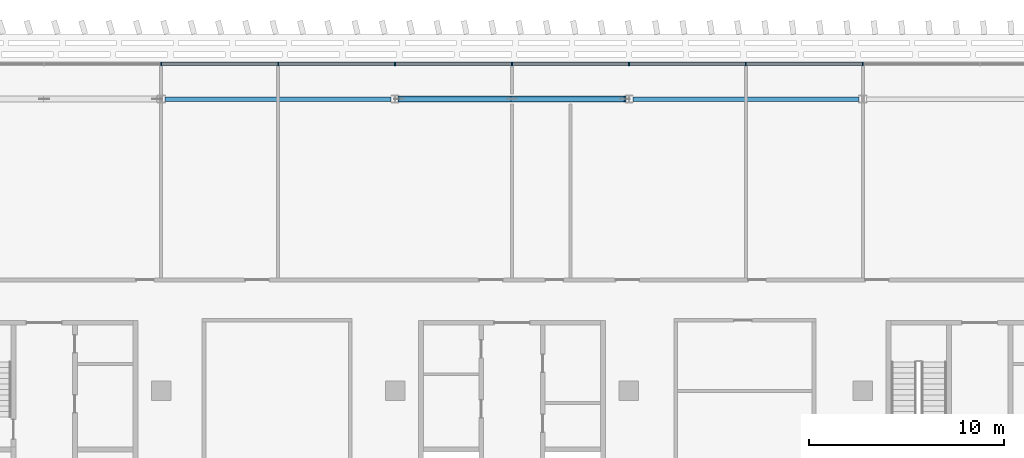
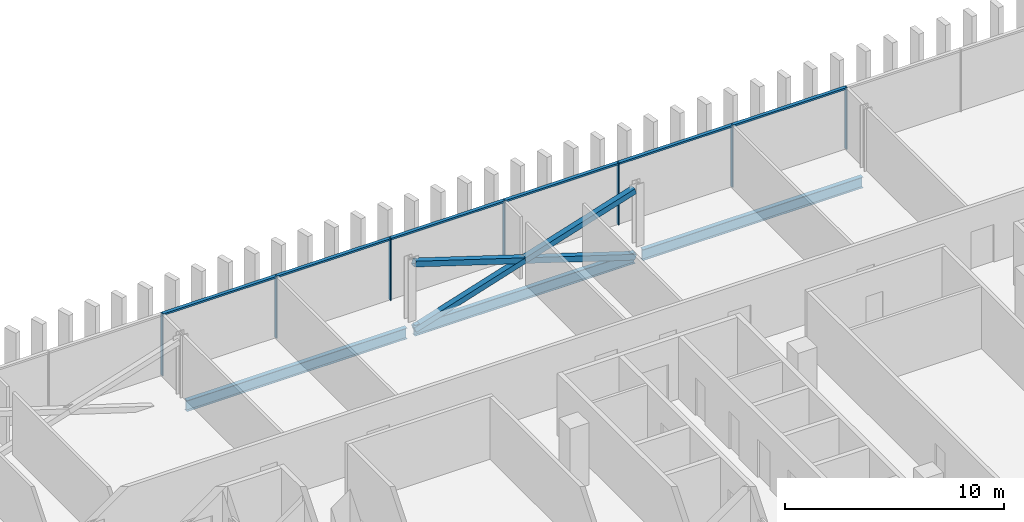
# One storey, part 10 of 32: 16 members, 3 beams, 1 element without a shape of its own.
"""IFC4 building model written with IfcOpenShell, lengths in metres."""

from ifc_helpers import new_model, si_unit, direction, frame, origin, origin_2d, place, context, subcontext, project, spatial, rectangle, hollow_rectangle, i_section, extrude, material, material_profile, profile_set, type_object, element, aggregate, save


model = new_model("IFC4")

# Units and contexts
model_context = context("Model", 3, precision=1e-05, world=origin(), true_north=direction((0.0, 1.0)))
body_context = subcontext(model_context, "Body", "Model", "MODEL_VIEW")
ifc_project = project(units=[si_unit("LENGTHUNIT", "METRE"), si_unit("AREAUNIT", "SQUARE_METRE"), si_unit("VOLUMEUNIT", "CUBIC_METRE"), si_unit("PLANEANGLEUNIT", "RADIAN"), si_unit("MASSUNIT", "GRAM", prefix="KILO")], contexts=[model_context])

# Site, building, storey
site_placement = place(None, origin())
site = spatial("IfcSite", under=ifc_project, at=site_placement, CompositionType="ELEMENT")
building_placement = place(site_placement, origin())
building = spatial("IfcBuilding", under=site, at=building_placement, Name="Mahtab Terrace Research Tower", CompositionType="ELEMENT")
storey_placement = place(building_placement, frame((0.0, 0.0, 236.199951171875)))
storey = spatial("IfcBuildingStorey", under=building, at=storey_placement, Name="L57", CompositionType="ELEMENT", Elevation=236.199951171875)

# Members
ifc_material_1 = material(Name="Steel ASTM A500 Gr C", Category="steel")
ifc_material_profile_1 = material_profile(ifc_material_1, hollow_rectangle(XDim=0.3046875, YDim=0.3046875, WallThickness=0.015869140625, at=origin_2d()), Name="HSS12X12X5/8")
ifc_profile_set_1 = profile_set([ifc_material_profile_1], Name="Steel ASTM A500 Gr C")
member_type_1 = type_object("IfcMemberType", Name="HSS 12x12x5/8 brace XB121258", PredefinedType="BRACE", material=ifc_profile_set_1)
member_1_placement = place(storey_placement, frame((5.800537109375, 26.472900390625, -0.580322265625), z_axis=(-0.953344342533, 0.0, 0.301885018774), x_axis=(0.0, -1.0, 0.0)))
element("IfcMember", 1, at=member_1_placement, inside=storey, type_object=member_type_1, Name="Exoskeleton brace L57 05 a", PredefinedType="BRACE", context=body_context, shape_type="SweptSolid", body=[
    extrude(hollow_rectangle(XDim=0.3046875, YDim=0.3046875, WallThickness=0.015869140625, at=origin_2d()), origin(), (0.0, 0.0, 1.0), 12.168701171875),
])
for number, where, z_axis, x_axis, name in (
    (2, (-5.800537109375, 26.472900390625, -0.580322265625), (0.953338568311, 0.0, 0.301903252998), (0.0, 1.0, 0.0), "Exoskeleton brace L57 05 b1"),
    (3, (0.0, 26.472900390625, 1.256591796875), (0.953350116476, 0.0, 0.301866784219), (0.0, 1.0, 0.0), "Exoskeleton brace L57 05 b2"),
):
    element("IfcMember", number, at=place(storey_placement, frame(where, z_axis=z_axis, x_axis=x_axis)), inside=storey, type_object=member_type_1, Name=name, PredefinedType="BRACE", context=body_context, shape_type="SweptSolid", body=[
        extrude(hollow_rectangle(XDim=0.3046875, YDim=0.3046875, WallThickness=0.015869140625, at=origin_2d()), origin(), (0.0, 0.0, 1.0), 6.08447265625),
    ])

# Curtain wall, members
ifc_material_2 = material(Name="Office ribbon curtain wall")
curtain_wall_type = type_object("IfcCurtainWallType", Name="Office ribbon curtain wall", PredefinedType="NOTDEFINED", material=ifc_material_2)
curtain_wall_placement = place(storey_placement, origin())
curtain_wall = element("IfcCurtainWall", 4, at=curtain_wall_placement, inside=storey, type_object=curtain_wall_type, Name="EN.L57.3.3", PredefinedType="NOTDEFINED")
ifc_material_3 = material(Name="Natural anodised aluminium", Category="aluminium")
ifc_material_profile_2 = material_profile(ifc_material_3, rectangle(XDim=0.179931640625, YDim=0.06005859375, at=origin_2d()), Name="MULLION 60x180")
ifc_profile_set_2 = profile_set([ifc_material_profile_2], Name="Natural anodised aluminium")
member_type_2 = type_object("IfcMemberType", Name="Office ribbon curtain wall mullion", PredefinedType="MULLION", material=ifc_profile_set_2)
member_2_placement = place(storey_placement, frame((18.0, 28.278076171875, 0.0), z_axis=(0.0, 0.0, 1.0), x_axis=(0.0, -1.0, 0.0)))
member_2 = element("IfcMember", 5, at=member_2_placement, type_object=member_type_2, Name="CWO-7 mullion 6", PredefinedType="MULLION", context=body_context, shape_type="SweptSolid", body=[
    extrude(rectangle(XDim=0.179931640625, YDim=0.06005859375, at=origin_2d()), origin(), (0.0, 0.0, 1.0), 3.4599609375),
])
member_3_placement = place(storey_placement, frame((12.0, 28.278076171875, 0.0), z_axis=(0.0, 0.0, 1.0), x_axis=(0.0, -1.0, 0.0)))
member_3 = element("IfcMember", 6, at=member_3_placement, type_object=member_type_2, Name="CWO-7 mullion 7", PredefinedType="MULLION", context=body_context, shape_type="SweptSolid", body=[
    extrude(rectangle(XDim=0.179931640625, YDim=0.06005859375, at=origin_2d()), origin(), (0.0, 0.0, 1.0), 3.4599609375),
])
member_4_placement = place(storey_placement, frame((6.0, 28.278076171875, 0.0), z_axis=(0.0, 0.0, 1.0), x_axis=(0.0, -1.0, 0.0)))
member_4 = element("IfcMember", 7, at=member_4_placement, type_object=member_type_2, Name="CWO-7 mullion 8", PredefinedType="MULLION", context=body_context, shape_type="SweptSolid", body=[
    extrude(rectangle(XDim=0.179931640625, YDim=0.06005859375, at=origin_2d()), origin(), (0.0, 0.0, 1.0), 3.4599609375),
])
member_5_placement = place(storey_placement, frame((0.0, 28.278076171875, 0.0), z_axis=(0.0, 0.0, 1.0), x_axis=(0.0, -1.0, 0.0)))
member_5 = element("IfcMember", 8, at=member_5_placement, type_object=member_type_2, Name="CWO-7 mullion 9", PredefinedType="MULLION", context=body_context, shape_type="SweptSolid", body=[
    extrude(rectangle(XDim=0.179931640625, YDim=0.06005859375, at=origin_2d()), origin(), (0.0, 0.0, 1.0), 3.4599609375),
])
member_6_placement = place(storey_placement, frame((-6.0, 28.278076171875, 0.0), z_axis=(0.0, 0.0, 1.0), x_axis=(0.0, -1.0, 0.0)))
member_6 = element("IfcMember", 9, at=member_6_placement, type_object=member_type_2, Name="CWO-7 mullion 10", PredefinedType="MULLION", context=body_context, shape_type="SweptSolid", body=[
    extrude(rectangle(XDim=0.179931640625, YDim=0.06005859375, at=origin_2d()), origin(), (0.0, 0.0, 1.0), 3.4599609375),
])
member_7_placement = place(storey_placement, frame((-12.0, 28.278076171875, 0.0), z_axis=(0.0, 0.0, 1.0), x_axis=(0.0, -1.0, 0.0)))
member_7 = element("IfcMember", 10, at=member_7_placement, type_object=member_type_2, Name="CWO-7 mullion 11", PredefinedType="MULLION", context=body_context, shape_type="SweptSolid", body=[
    extrude(rectangle(XDim=0.179931640625, YDim=0.06005859375, at=origin_2d()), origin(), (0.0, 0.0, 1.0), 3.4599609375),
])
member_8_placement = place(storey_placement, frame((-18.0, 28.278076171875, 0.0), z_axis=(0.0, 0.0, 1.0), x_axis=(0.0, -1.0, 0.0)))
member_8 = element("IfcMember", 11, at=member_8_placement, type_object=member_type_2, Name="CWO-7 mullion 12", PredefinedType="MULLION", context=body_context, shape_type="SweptSolid", body=[
    extrude(rectangle(XDim=0.179931640625, YDim=0.06005859375, at=origin_2d()), origin(), (0.0, 0.0, 1.0), 3.4599609375),
])
ifc_material_profile_3 = material_profile(ifc_material_3, rectangle(XDim=0.179931640625, YDim=0.10009765625, at=origin_2d()), Name="TRANSOM 100x180")
ifc_profile_set_3 = profile_set([ifc_material_profile_3], Name="Natural anodised aluminium")
member_type_3 = type_object("IfcMemberType", Name="Office ribbon curtain wall transom", PredefinedType="USERDEFINED", material=ifc_profile_set_3)
member_9_placement = place(storey_placement, frame((17.969970703125, 28.278076171875, 3.41015625), z_axis=(-1.0, 0.0, 0.0), x_axis=(0.0, -1.0, 0.0)))
member_9 = element("IfcMember", 12, at=member_9_placement, type_object=member_type_3, Name="CWO-7 transom 6", ObjectType="TRANSOM", PredefinedType="USERDEFINED", context=body_context, shape_type="SweptSolid", body=[
    extrude(rectangle(XDim=0.179931640625, YDim=0.10009765625, at=origin_2d()), origin(), (0.0, 0.0, 1.0), 5.93994140625),
])
member_10_placement = place(storey_placement, frame((11.969970703125, 28.278076171875, 3.41015625), z_axis=(-1.0, 0.0, 0.0), x_axis=(0.0, -1.0, 0.0)))
member_10 = element("IfcMember", 13, at=member_10_placement, type_object=member_type_3, Name="CWO-7 transom 7", ObjectType="TRANSOM", PredefinedType="USERDEFINED", context=body_context, shape_type="SweptSolid", body=[
    extrude(rectangle(XDim=0.179931640625, YDim=0.10009765625, at=origin_2d()), origin(), (0.0, 0.0, 1.0), 5.93994140625),
])
member_11_placement = place(storey_placement, frame((5.969970703125, 28.278076171875, 3.41015625), z_axis=(-1.0, 0.0, 0.0), x_axis=(0.0, -1.0, 0.0)))
member_11 = element("IfcMember", 14, at=member_11_placement, type_object=member_type_3, Name="CWO-7 transom 8", ObjectType="TRANSOM", PredefinedType="USERDEFINED", context=body_context, shape_type="SweptSolid", body=[
    extrude(rectangle(XDim=0.179931640625, YDim=0.10009765625, at=origin_2d()), origin(), (0.0, 0.0, 1.0), 5.93994140625),
])
member_12_placement = place(storey_placement, frame((-0.030029296875, 28.278076171875, 3.41015625), z_axis=(-1.0, 0.0, 0.0), x_axis=(0.0, -1.0, 0.0)))
member_12 = element("IfcMember", 15, at=member_12_placement, type_object=member_type_3, Name="CWO-7 transom 9", ObjectType="TRANSOM", PredefinedType="USERDEFINED", context=body_context, shape_type="SweptSolid", body=[
    extrude(rectangle(XDim=0.179931640625, YDim=0.10009765625, at=origin_2d()), origin(), (0.0, 0.0, 1.0), 5.93994140625),
])
member_13_placement = place(storey_placement, frame((-6.030029296875, 28.278076171875, 3.41015625), z_axis=(-1.0, 0.0, 0.0), x_axis=(0.0, -1.0, 0.0)))
member_13 = element("IfcMember", 16, at=member_13_placement, type_object=member_type_3, Name="CWO-7 transom 10", ObjectType="TRANSOM", PredefinedType="USERDEFINED", context=body_context, shape_type="SweptSolid", body=[
    extrude(rectangle(XDim=0.179931640625, YDim=0.10009765625, at=origin_2d()), origin(), (0.0, 0.0, 1.0), 5.93994140625),
])
member_14_placement = place(storey_placement, frame((-12.030029296875, 28.278076171875, 3.41015625), z_axis=(-1.0, 0.0, 0.0), x_axis=(0.0, -1.0, 0.0)))
member_14 = element("IfcMember", 17, at=member_14_placement, type_object=member_type_3, Name="CWO-7 transom 11", ObjectType="TRANSOM", PredefinedType="USERDEFINED", context=body_context, shape_type="SweptSolid", body=[
    extrude(rectangle(XDim=0.179931640625, YDim=0.10009765625, at=origin_2d()), origin(), (0.0, 0.0, 1.0), 5.93994140625),
])
aggregate(curtain_wall, [member_2, member_3, member_4, member_5, member_6, member_7, member_8, member_9, member_10, member_11, member_12, member_13, member_14])

# Beams
ifc_material_4 = material(Name="Steel ASTM A992 Gr 50", Category="steel")
ifc_material_profile_4 = material_profile(ifc_material_4, i_section(OverallWidth=0.228271484375, OverallDepth=0.607177734375, WebThickness=0.01123046875, FlangeThickness=0.017333984375, at=origin_2d()), Name="W24X76")
ifc_profile_set_4 = profile_set([ifc_material_profile_4], Name="Steel ASTM A992 Gr 50")
beam_type = type_object("IfcBeamType", Name="W24x76 beam BS2476", PredefinedType="BEAM", material=ifc_profile_set_4)
for number, where, z_axis, x_axis, name in (
    (18, (17.800537109375, 26.472900390625, -0.6435546875), (-1.0, 0.0, 0.0), (0.0, -1.0, 0.0), "Spandrel beam L57 04"),
    (19, (5.800537109375, 26.472900390625, -0.6435546875), (-1.0, 0.0, 0.0), (0.0, -1.0, 0.0), "Spandrel beam L57 05"),
    (20, (-6.199462890625, 26.472900390625, -0.6435546875), (-1.0, 0.0, 0.0), (0.0, -1.0, 0.0), "Spandrel beam L57 06"),
):
    element("IfcBeam", number, at=place(storey_placement, frame(where, z_axis=z_axis, x_axis=x_axis)), inside=storey, type_object=beam_type, Name=name, PredefinedType="BEAM", context=body_context, shape_type="SweptSolid", body=[
        extrude(i_section(OverallWidth=0.228271484375, OverallDepth=0.607177734375, WebThickness=0.01123046875, FlangeThickness=0.017333984375, at=origin_2d()), origin(), (0.0, 0.0, 1.0), 11.60107421875),
    ])

save(model, "model.ifc")
